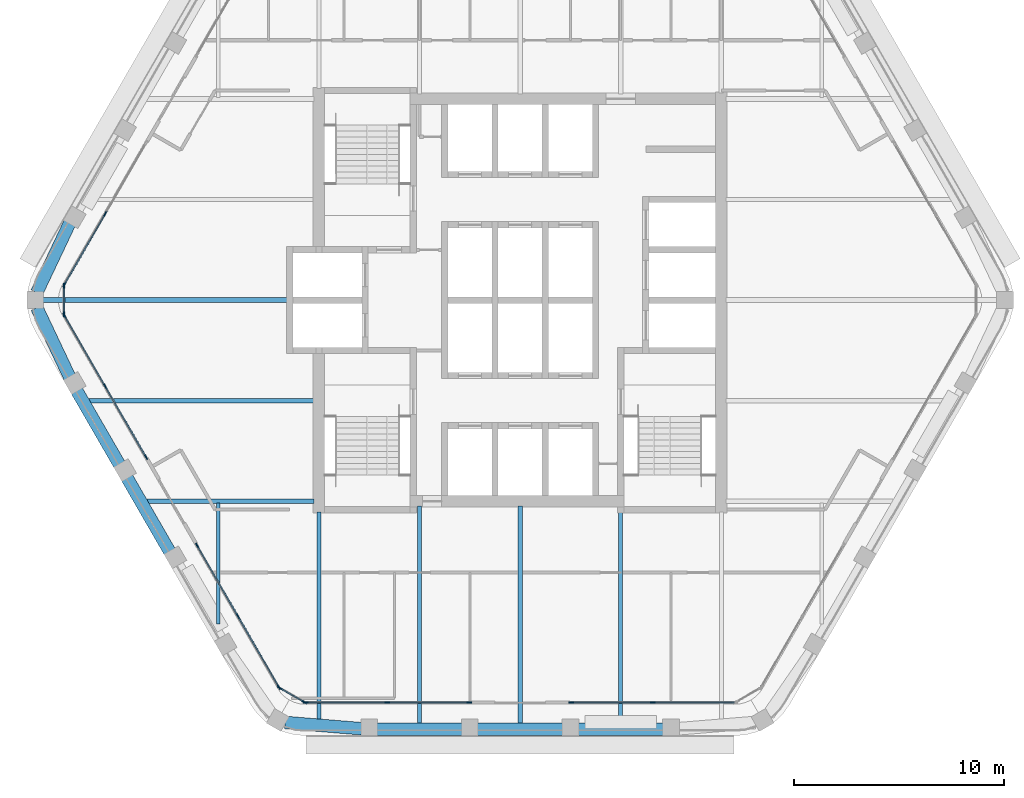
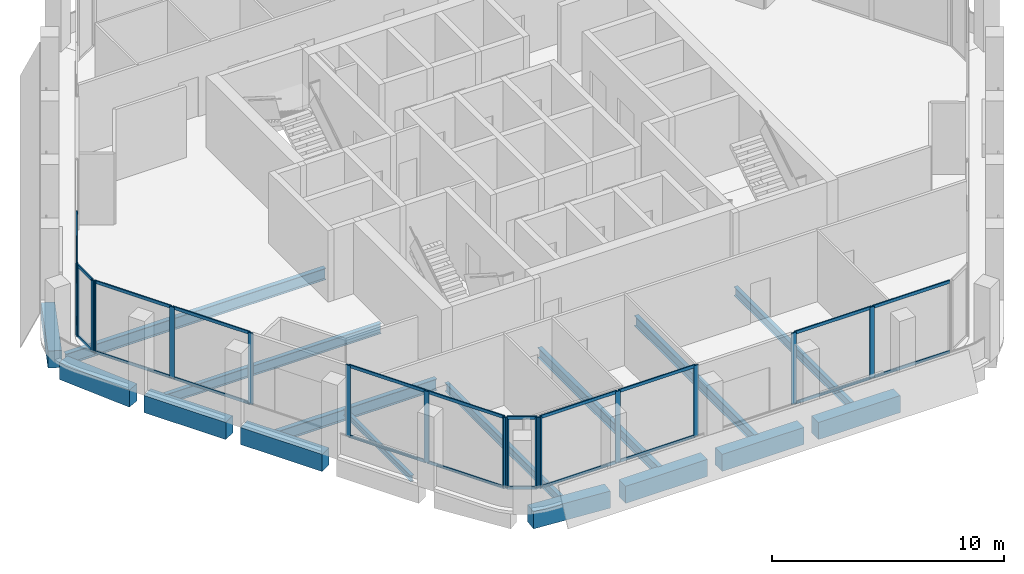
# One storey, part 2 of 13: 39 members, 16 beams, 7 elements without a shape of their own.
"""IFC4 building model written with IfcOpenShell, lengths in metres."""

import ifcopenshell
import ifcopenshell.guid

model = None  # the IFC model being written
_history = None  # IfcOwnerHistory: only IFC2X3 demands one
_inside = {}  # id of a spatial element -> (the spatial element, [elements in it])
_under = {}  # id of a project, library or spatial element -> (it, [spatial elements below it])
_declared = {}  # id of a project -> (the project, [libraries it declares])
_typed = {}  # id of a type object -> (the type object, [elements of that type])
_made_of = {}  # id of a material, layer set ... -> (it, [elements and type objects made of it])


def new_model(schema):
    """Start an empty IFC model of exactly this schema.

    Asked for "IFC4X3", IfcOpenShell would pick the latest addendum, in which some entities
    have other attributes; the version numbers below select the first issue.
    IFC2X3 requires an IfcOwnerHistory on every rooted entity: one is made here for all.
    """
    global model, _history
    if schema == "IFC4X3":
        model = ifcopenshell.file(schema_version=(4, 3, 0, 0))
    else:
        model = ifcopenshell.file(schema=schema)
    _inside.clear()
    _under.clear()
    _declared.clear()
    _typed.clear()
    _made_of.clear()
    _history = None
    if model.schema == "IFC2X3":
        org = make("IfcOrganization", Name="unknown")
        user = make(
            "IfcPersonAndOrganization",
            ThePerson=make("IfcPerson", FamilyName="unknown"),
            TheOrganization=org,
        )
        app = make(
            "IfcApplication",
            ApplicationDeveloper=org,
            Version="unknown",
            ApplicationFullName="unknown",
            ApplicationIdentifier="unknown",
        )
        _history = make(
            "IfcOwnerHistory",
            OwningUser=user,
            OwningApplication=app,
            ChangeAction="ADDED",
            CreationDate=0,
        )
    return model


def make(cls, **values):
    """One entity of the class cls with the attributes given. An attribute that is None is left unset."""
    return model.create_entity(
        cls, **{name: value for name, value in values.items() if value is not None}
    )


def rooted(cls, **values):
    """An entity with a GlobalId (a new one), such as an element, a storey or a relation."""
    return make(cls, GlobalId=ifcopenshell.guid.new(), OwnerHistory=_history, **values)


def si_unit(unit_type, name, prefix=None):
    """IfcSIUnit, for example si_unit("LENGTHUNIT", "METRE", prefix="MILLI")."""
    return make("IfcSIUnit", UnitType=unit_type, Prefix=prefix, Name=name)


def assignment(units):
    """IfcUnitAssignment: the units of a project."""
    return None if units is None else make("IfcUnitAssignment", Units=units)


def point(xyz):
    """IfcCartesianPoint."""
    return None if xyz is None else make("IfcCartesianPoint", Coordinates=xyz)


def direction(xyz):
    """IfcDirection."""
    return None if xyz is None else make("IfcDirection", DirectionRatios=xyz)


def frame(location, z_axis=None, x_axis=None):
    """IfcAxis2Placement3D, a coordinate frame: its origin and axes. An axis left out is left unset."""
    return make(
        "IfcAxis2Placement3D",
        Location=point(location),
        Axis=direction(z_axis),
        RefDirection=direction(x_axis),
    )


def frame_2d(location, x_axis=None):
    """IfcAxis2Placement2D, a coordinate frame in the plane: its origin and x axis."""
    return make(
        "IfcAxis2Placement2D", Location=point(location), RefDirection=direction(x_axis)
    )


def origin():
    """The frame at (0, 0, 0) with its axes left unset."""
    return frame((0.0, 0.0, 0.0))


def origin_2d():
    """The frame at (0, 0) in the plane with its x axis left unset."""
    return frame_2d((0.0, 0.0))


def place(relative_to, where):
    """IfcLocalPlacement: puts the frame where relative to a parent placement (None: the world)."""
    return make(
        "IfcLocalPlacement", PlacementRelTo=relative_to, RelativePlacement=where
    )


def context(
    kind, dimensions, precision=None, world=None, true_north=None, identifier=None
):
    """IfcGeometricRepresentationContext, for example the 3D "Model" context."""
    return make(
        "IfcGeometricRepresentationContext",
        ContextIdentifier=identifier,
        ContextType=kind,
        CoordinateSpaceDimension=dimensions,
        Precision=precision,
        WorldCoordinateSystem=world,
        TrueNorth=true_north,
    )


def subcontext(parent, identifier, kind, view, scale=None):
    """IfcGeometricRepresentationSubContext, for example "Body" below "Model"."""
    return make(
        "IfcGeometricRepresentationSubContext",
        ContextIdentifier=identifier,
        ContextType=kind,
        ParentContext=parent,
        TargetScale=scale,
        TargetView=view,
    )


def project(units=None, contexts=None):
    """IfcProject with its units and contexts."""
    return rooted(
        "IfcProject",
        Name="project",
        RepresentationContexts=contexts,
        UnitsInContext=assignment(units),
    )


def spatial(cls, under=None, at=None, **own):
    """A site, building, storey or space (cls), placed at a placement, below another one or the project."""
    s = rooted(cls, ObjectPlacement=at, **own)
    if under is not None:
        _under.setdefault(under.id(), (under, []))[1].append(s)
    return s


def profile(cls, at=None, kind="AREA", **sizes):
    """A parametric profile (cls). Its sizes go by their IFC names, for example OverallWidth=200.0."""
    return make(cls, ProfileType=kind, Position=at, **sizes)


def rectangle(**sizes):
    """IfcRectangleProfileDef."""
    return profile("IfcRectangleProfileDef", **sizes)


def i_section(**sizes):
    """IfcIShapeProfileDef."""
    return profile("IfcIShapeProfileDef", **sizes)


def extrude(swept, where, along, depth):
    """IfcExtrudedAreaSolid: the profile swept, set in the frame where, extruded along a direction by depth."""
    return make(
        "IfcExtrudedAreaSolid",
        SweptArea=swept,
        Position=where,
        ExtrudedDirection=direction(along),
        Depth=depth,
    )


def shape(context_of_items, identifier, shape_type, items):
    """IfcShapeRepresentation: the items that make up one representation, for example the "Body"."""
    return make(
        "IfcShapeRepresentation",
        ContextOfItems=context_of_items,
        RepresentationIdentifier=identifier,
        RepresentationType=shape_type,
        Items=items,
    )


def material(Name=None, Category=None):
    """IfcMaterial."""
    return make("IfcMaterial", Name=Name, Category=Category)


def material_profile(
    of_material, cross_section, Name=None, Category=None, Priority=None
):
    """IfcMaterialProfile: a cross section and its material."""
    return make(
        "IfcMaterialProfile",
        Name=Name,
        Material=of_material,
        Profile=cross_section,
        Priority=Priority,
        Category=Category,
    )


def profile_set(profiles, Name=None, composite=None):
    """IfcMaterialProfileSet."""
    return make(
        "IfcMaterialProfileSet",
        Name=Name,
        MaterialProfiles=profiles,
        CompositeProfile=composite,
    )


def made_of(thing, what):
    """Note that an element or type object is made of a material, layer set ...; save() writes the relation."""
    if what is not None:
        _made_of.setdefault(what.id(), (what, []))[1].append(thing)
    return thing


def type_object(cls, material=None, **own):
    """A type object (cls), such as IfcWallType, which elements share."""
    return made_of(rooted(cls, **own), material)


def element(
    cls,
    number,
    at=None,
    inside=None,
    cuts=None,
    type_object=None,
    material=None,
    context=None,
    identifier="Body",
    shape_type=None,
    held_by="IfcProductDefinitionShape",
    body=None,
    shapes=None,
    **own,
):
    """One element of the class cls, such as IfcWall. Its Tag is "e" and its number.

    at: its placement. inside: the storey or other place that contains it. cuts: it is an
    opening in that element (IfcRelVoidsElement). A single representation is given by context,
    identifier, shape_type and body (its items); several are given by shapes. held_by: the class
    of the entity that holds the representations. save() writes the other relations.
    """
    e = rooted(cls, Tag="e%d" % number, ObjectPlacement=at, **own)
    if body is not None:
        shapes = [shape(context, identifier, shape_type, body)]
    if shapes is not None:
        e.Representation = make(held_by, Representations=shapes)
    if inside is not None:
        _inside.setdefault(inside.id(), (inside, []))[1].append(e)
    if cuts is not None:
        rooted(
            "IfcRelVoidsElement", RelatingBuildingElement=cuts, RelatedOpeningElement=e
        )
    if type_object is not None:
        _typed.setdefault(type_object.id(), (type_object, []))[1].append(e)
    return made_of(e, material)


def aggregate(whole, parts):
    """IfcRelAggregates: a whole, such as a stair, and the parts it consists of."""
    return rooted("IfcRelAggregates", RelatingObject=whole, RelatedObjects=parts)


def save(model, path):
    """Write the relations noted so far, then the file.

    IfcRelAggregates (storeys below a building ...), IfcRelContainedInSpatialStructure (elements
    in a storey), IfcRelDefinesByType, IfcRelAssociatesMaterial and IfcRelDeclares: one each for
    every whole, place, type object, material and project.
    """
    for whole, parts in _under.values():
        aggregate(whole, parts)
    for where, things in _inside.values():
        rooted(
            "IfcRelContainedInSpatialStructure",
            RelatedElements=things,
            RelatingStructure=where,
        )
    for kind, things in _typed.values():
        rooted("IfcRelDefinesByType", RelatedObjects=things, RelatingType=kind)
    for what, things in _made_of.values():
        rooted("IfcRelAssociatesMaterial", RelatedObjects=things, RelatingMaterial=what)
    for by, libraries in _declared.values():
        rooted("IfcRelDeclares", RelatingContext=by, RelatedDefinitions=libraries)
    model.write(path)


model = new_model("IFC4")

# Units and contexts
model_context = context("Model", 3, precision=1e-05, world=origin(), true_north=direction((0.0, 1.0)))
body_context = subcontext(model_context, "Body", "Model", "MODEL_VIEW")
ifc_project = project(units=[si_unit("LENGTHUNIT", "METRE"), si_unit("AREAUNIT", "SQUARE_METRE"), si_unit("VOLUMEUNIT", "CUBIC_METRE"), si_unit("PLANEANGLEUNIT", "RADIAN"), si_unit("MASSUNIT", "GRAM", prefix="KILO")], contexts=[model_context])

# Site, building, storey
site_placement = place(None, origin())
site = spatial("IfcSite", under=ifc_project, at=site_placement, CompositionType="ELEMENT")
building_placement = place(site_placement, origin())
building = spatial("IfcBuilding", under=site, at=building_placement, Name="Kolab Exchange Tower", CompositionType="ELEMENT")
storey_placement = place(building_placement, frame((0.0, 0.0, 230.60009765625)))
storey = spatial("IfcBuildingStorey", under=building, at=storey_placement, Name="L50", CompositionType="ELEMENT", Elevation=230.60009765625)

# Beams
ifc_material_1 = material(Name="Steel S355", Category="steel")
ifc_material_profile_1 = material_profile(ifc_material_1, i_section(OverallWidth=0.1650390625, OverallDepth=0.31005859375, WebThickness=0.005859375, FlangeThickness=0.009765625, at=origin_2d()), Name="W310X39")
ifc_profile_set_1 = profile_set([ifc_material_profile_1], Name="Steel S355")
beam_type_1 = type_object("IfcBeamType", Name="FLOOR BEAM W310X39", PredefinedType="BEAM", material=ifc_profile_set_1)
beam_1_placement = place(storey_placement, frame((-14.39990234375, -15.4677734375, -0.30517578125), z_axis=(0.0, 1.0, 0.0), x_axis=(-1.0, 0.0, 0.0)))
element("IfcBeam", 1, at=beam_1_placement, inside=storey, type_object=beam_type_1, Name="beam/L50/fr/003", PredefinedType="BEAM", context=body_context, shape_type="SweptSolid", body=[
    extrude(i_section(OverallWidth=0.1650390625, OverallDepth=0.31005859375, WebThickness=0.005859375, FlangeThickness=0.009765625, at=origin_2d()), origin(), (0.0, 0.0, 1.0), 5.793701171875),
])
ifc_material_profile_2 = material_profile(ifc_material_1, i_section(OverallWidth=0.18994140625, OverallDepth=0.45703125, WebThickness=0.009033203125, FlangeThickness=0.014404296875, at=origin_2d()), Name="W460X74")
ifc_profile_set_2 = profile_set([ifc_material_profile_2], Name="Steel S355")
beam_type_2 = type_object("IfcBeamType", Name="FLOOR BEAM W460X74", PredefinedType="BEAM", material=ifc_profile_set_2)
beam_2_placement = place(storey_placement, frame((-9.60009765625, -20.027099609375, -0.378662109375), z_axis=(0.0, 1.0, 0.0), x_axis=(-1.0, 0.0, 0.0)))
element("IfcBeam", 2, at=beam_2_placement, inside=storey, type_object=beam_type_2, Name="beam/L50/fr/005", PredefinedType="BEAM", context=body_context, shape_type="SweptSolid", body=[
    extrude(i_section(OverallWidth=0.18994140625, OverallDepth=0.45703125, WebThickness=0.009033203125, FlangeThickness=0.014404296875, at=origin_2d()), origin(), (0.0, 0.0, 1.0), 9.9169921875),
])
beam_3_placement = place(storey_placement, frame((4.800048828125, -20.224609375, -0.378662109375), z_axis=(0.0, 1.0, 0.0), x_axis=(-1.0, 0.0, 0.0)))
element("IfcBeam", 3, at=beam_3_placement, inside=storey, type_object=beam_type_2, Name="beam/L50/fr/011", PredefinedType="BEAM", context=body_context, shape_type="SweptSolid", body=[
    extrude(i_section(OverallWidth=0.18994140625, OverallDepth=0.45703125, WebThickness=0.009033203125, FlangeThickness=0.014404296875, at=origin_2d()), origin(), (0.0, 0.0, 1.0), 10.114501953125),
])
ifc_material_profile_3 = material_profile(ifc_material_1, i_section(OverallWidth=0.208984375, OverallDepth=0.532958984375, WebThickness=0.01025390625, FlangeThickness=0.015625, at=origin_2d()), Name="W530X92")
ifc_profile_set_3 = profile_set([ifc_material_profile_3], Name="Steel S355")
beam_type_3 = type_object("IfcBeamType", Name="FLOOR BEAM W530X92", PredefinedType="BEAM", material=ifc_profile_set_3)
beam_4_placement = place(storey_placement, frame((-20.575927734375, -4.800048828125, -0.41650390625), z_axis=(1.0, 0.0, 0.0), x_axis=(0.0, 1.0, 0.0)))
element("IfcBeam", 4, at=beam_4_placement, inside=storey, type_object=beam_type_3, Name="beam/L50/fr/001", PredefinedType="BEAM", context=body_context, shape_type="SweptSolid", body=[
    extrude(i_section(OverallWidth=0.208984375, OverallDepth=0.532958984375, WebThickness=0.01025390625, FlangeThickness=0.015625, at=origin_2d()), origin(), (0.0, 0.0, 1.0), 10.740966796875),
])
for number, where, z_axis, x_axis, name in (
    (5, (-4.800048828125, -20.224609375, -0.41650390625), (0.0, 1.0, 0.0), (-1.0, 0.0, 0.0), "beam/L50/fr/007"),
    (6, (0.0, -20.224609375, -0.41650390625), (0.0, 1.0, 0.0), (-1.0, 0.0, 0.0), "beam/L50/fr/009"),
):
    element("IfcBeam", number, at=place(storey_placement, frame(where, z_axis=z_axis, x_axis=x_axis)), inside=storey, type_object=beam_type_3, Name=name, PredefinedType="BEAM", context=body_context, shape_type="SweptSolid", body=[
        extrude(i_section(OverallWidth=0.208984375, OverallDepth=0.532958984375, WebThickness=0.01025390625, FlangeThickness=0.015625, at=origin_2d()), origin(), (0.0, 0.0, 1.0), 10.3896484375),
    ])
ifc_material_profile_4 = material_profile(ifc_material_1, i_section(OverallWidth=0.22802734375, OverallDepth=0.60791015625, WebThickness=0.01123046875, FlangeThickness=0.017333984375, at=origin_2d()), Name="W610X113")
ifc_profile_set_4 = profile_set([ifc_material_profile_4], Name="Steel S355")
beam_type_4 = type_object("IfcBeamType", Name="FLOOR BEAM W610X113", PredefinedType="BEAM", material=ifc_profile_set_4)
beam_5_placement = place(storey_placement, frame((-22.77587890625, 0.0, -0.4541015625), z_axis=(1.0, 0.0, 0.0), x_axis=(0.0, 1.0, 0.0)))
element("IfcBeam", 7, at=beam_5_placement, inside=storey, type_object=beam_type_4, Name="beam/L50/fr/000", PredefinedType="BEAM", context=body_context, shape_type="SweptSolid", body=[
    extrude(i_section(OverallWidth=0.22802734375, OverallDepth=0.60791015625, WebThickness=0.01123046875, FlangeThickness=0.017333984375, at=origin_2d()), origin(), (0.0, 0.0, 1.0), 12.94091796875),
])
ifc_material_profile_5 = material_profile(ifc_material_1, i_section(OverallWidth=0.22802734375, OverallDepth=0.60791015625, WebThickness=0.01123046875, FlangeThickness=0.017333984375, at=origin_2d()), Name="W610X113")
ifc_profile_set_5 = profile_set([ifc_material_profile_5], Name="Steel S355")
beam_type_5 = type_object("IfcBeamType", Name="FLOOR GIRDER W610X113", PredefinedType="BEAM", material=ifc_profile_set_5)
beam_6_placement = place(storey_placement, frame((-17.8046875, -9.60009765625, -0.4541015625), z_axis=(1.0, 0.0, 0.0), x_axis=(0.0, 1.0, 0.0)))
element("IfcBeam", 8, at=beam_6_placement, inside=storey, type_object=beam_type_5, Name="beam/L50/gd/000", PredefinedType="BEAM", context=body_context, shape_type="SweptSolid", body=[
    extrude(i_section(OverallWidth=0.22802734375, OverallDepth=0.60791015625, WebThickness=0.01123046875, FlangeThickness=0.017333984375, at=origin_2d()), origin(), (0.0, 0.0, 1.0), 7.9697265625),
])
ifc_material_2 = material(Name="Concrete C50/60", Category="concrete")
ifc_material_profile_6 = material_profile(ifc_material_2, rectangle(XDim=0.60009765625, YDim=0.89990234375, at=origin_2d()), Name="RC600X900")
ifc_profile_set_6 = profile_set([ifc_material_profile_6], Name="Concrete C50/60")
beam_type_6 = type_object("IfcBeamType", Name="SPANDREL BEAM 600X900 C50/60", PredefinedType="BEAM", material=ifc_profile_set_6)
for number, where, z_axis, x_axis, name in (
    (9, (6.840087890625, -20.484619140625, -0.60009765625), (-1.0, 0.0, 0.0), (0.0, -1.0, 0.0), "beam/L50/sp/F4-02"),
    (10, (2.0400390625, -20.484619140625, -0.60009765625), (-1.0, 0.0, 0.0), (0.0, -1.0, 0.0), "beam/L50/sp/F4-03"),
    (11, (-2.760009765625, -20.484619140625, -0.60009765625), (-1.0, 0.0, 0.0), (0.0, -1.0, 0.0), "beam/L50/sp/F4-04"),
):
    element("IfcBeam", number, at=place(storey_placement, frame(where, z_axis=z_axis, x_axis=x_axis)), inside=storey, type_object=beam_type_6, Name=name, PredefinedType="BEAM", context=body_context, shape_type="SweptSolid", body=[
        extrude(rectangle(XDim=0.60009765625, YDim=0.89990234375, at=origin_2d()), origin(), (0.0, 0.0, 1.0), 4.080078125),
    ])
beam_7_placement = place(storey_placement, frame((-7.56005859375, -20.455078125, -0.60009765625), z_axis=(-0.996666751878, 0.081580547323, 0.0), x_axis=(-0.081580547323, -0.996666751878, 0.0)))
element("IfcBeam", 12, at=beam_7_placement, inside=storey, type_object=beam_type_6, Name="beam/L50/sp/F4-05", PredefinedType="BEAM", context=body_context, shape_type="SweptSolid", body=[
    extrude(rectangle(XDim=0.60009765625, YDim=0.89990234375, at=origin_2d()), origin(), (0.0, 0.0, 1.0), 3.6689453125),
])
for number, where, z_axis, x_axis, name in (
    (13, (-16.72021484375, -12.009033203125, -0.60009765625), (-0.500000428765, 0.866025156237, 0.0), (-0.866025156237, -0.500000428765, 0.0), "beam/L50/sp/F5-03"),
    (14, (-19.1201171875, -7.85205078125, -0.60009765625), (-0.500000428765, 0.866025156237, 0.0), (-0.866025156237, -0.500000428765, 0.0), "beam/L50/sp/F5-04"),
):
    element("IfcBeam", number, at=place(storey_placement, frame(where, z_axis=z_axis, x_axis=x_axis)), inside=storey, type_object=beam_type_6, Name=name, PredefinedType="BEAM", context=body_context, shape_type="SweptSolid", body=[
        extrude(rectangle(XDim=0.60009765625, YDim=0.89990234375, at=origin_2d()), origin(), (0.0, 0.0, 1.0), 4.080078125),
    ])
for number, where, z_axis, x_axis, name in (
    (15, (-21.49462890625, -3.68017578125, -0.60009765625), (-0.427677251998, 0.903931506323, 0.0), (-0.903931506323, -0.427677251998, 0.0), "beam/L50/sp/F5-05"),
    (16, (-23.063720703125, 0.36376953125, -0.60009765625), (0.427677251998, 0.903931506323, 0.0), (-0.903931506323, 0.427677251998, 0.0), "beam/L50/sp/F6-01"),
):
    element("IfcBeam", number, at=place(storey_placement, frame(where, z_axis=z_axis, x_axis=x_axis)), inside=storey, type_object=beam_type_6, Name=name, PredefinedType="BEAM", context=body_context, shape_type="SweptSolid", body=[
        extrude(rectangle(XDim=0.60009765625, YDim=0.89990234375, at=origin_2d()), origin(), (0.0, 0.0, 1.0), 3.6689453125),
    ])

# Curtain wall, members
ifc_material_3 = material(Name="Aluminium EN AW-6063 T6", Category="aluminium")
curtain_wall_type = type_object("IfcCurtainWallType", Name="UNITISED HIGH ZONE CURTAIN WALL", PredefinedType="NOTDEFINED", material=ifc_material_3)
curtain_wall_1_placement = place(storey_placement, origin())
curtain_wall_1 = element("IfcCurtainWall", 17, at=curtain_wall_1_placement, inside=storey, type_object=curtain_wall_type, Name="cw/L50/F4-1", PredefinedType="NOTDEFINED")
ifc_material_profile_7 = material_profile(ifc_material_3, rectangle(XDim=0.06005859375, YDim=0.239990234375, at=origin_2d()), Name="RECT 60X240")
ifc_profile_set_7 = profile_set([ifc_material_profile_7], Name="Aluminium EN AW-6063 T6")
member_type_1 = type_object("IfcMemberType", Name="UNITISED HIGH ZONE MULLION 60 X 240", PredefinedType="MULLION", material=ifc_profile_set_7)
member_1_placement = place(storey_placement, frame((6.333984375, -19.20458984375, 0.0), z_axis=(0.0, 0.0, 1.0), x_axis=(0.0, -1.0, 0.0)))
member_1 = element("IfcMember", 18, at=member_1_placement, type_object=member_type_1, Name="CW4 mullion 2", PredefinedType="MULLION", context=body_context, shape_type="SweptSolid", body=[
    extrude(rectangle(XDim=0.06005859375, YDim=0.239990234375, at=origin_2d()), origin(), (0.0, 0.0, 1.0), 3.75),
])
member_2_placement = place(storey_placement, frame((2.429931640625, -19.20458984375, 0.0), z_axis=(0.0, 0.0, 1.0), x_axis=(0.0, -1.0, 0.0)))
member_2 = element("IfcMember", 19, at=member_2_placement, type_object=member_type_1, Name="CW4 mullion 3", PredefinedType="MULLION", context=body_context, shape_type="SweptSolid", body=[
    extrude(rectangle(XDim=0.06005859375, YDim=0.239990234375, at=origin_2d()), origin(), (0.0, 0.0, 1.0), 3.75),
])

curtain_wall_2_placement = place(storey_placement, origin())
curtain_wall_2 = element("IfcCurtainWall", 20, at=curtain_wall_2_placement, inside=storey, type_object=curtain_wall_type, Name="cw/L50/F4-2", PredefinedType="NOTDEFINED")
member_3_placement = place(storey_placement, frame((-2.429931640625, -19.20458984375, 0.0), z_axis=(0.0, 0.0, 1.0), x_axis=(0.0, -1.0, 0.0)))
member_3 = element("IfcMember", 21, at=member_3_placement, type_object=member_type_1, Name="CW4 mullion 1", PredefinedType="MULLION", context=body_context, shape_type="SweptSolid", body=[
    extrude(rectangle(XDim=0.06005859375, YDim=0.239990234375, at=origin_2d()), origin(), (0.0, 0.0, 1.0), 3.75),
])
member_4_placement = place(storey_placement, frame((-6.333984375, -19.20458984375, 0.0), z_axis=(0.0, 0.0, 1.0), x_axis=(0.0, -1.0, 0.0)))
member_4 = element("IfcMember", 22, at=member_4_placement, type_object=member_type_1, Name="CW4 mullion 2", PredefinedType="MULLION", context=body_context, shape_type="SweptSolid", body=[
    extrude(rectangle(XDim=0.06005859375, YDim=0.239990234375, at=origin_2d()), origin(), (0.0, 0.0, 1.0), 3.75),
])
member_5_placement = place(storey_placement, frame((-10.238037109375, -19.20458984375, 0.0), z_axis=(0.0, 0.0, 1.0), x_axis=(0.0, -1.0, 0.0)))
member_5 = element("IfcMember", 23, at=member_5_placement, type_object=member_type_1, Name="CW4 mullion 3", PredefinedType="MULLION", context=body_context, shape_type="SweptSolid", body=[
    extrude(rectangle(XDim=0.06005859375, YDim=0.239990234375, at=origin_2d()), origin(), (0.0, 0.0, 1.0), 3.75),
])

curtain_wall_3_placement = place(storey_placement, origin())
curtain_wall_3 = element("IfcCurtainWall", 24, at=curtain_wall_3_placement, inside=storey, type_object=curtain_wall_type, Name="cw/L50/F5-1", PredefinedType="NOTDEFINED")
member_6_placement = place(storey_placement, frame((-11.5126953125, -18.46875, 0.0), z_axis=(0.0, 0.0, 1.0), x_axis=(-0.866025385493, -0.500000031681, 0.0)))
member_6 = element("IfcMember", 25, at=member_6_placement, type_object=member_type_1, Name="CW4 mullion 1", PredefinedType="MULLION", context=body_context, shape_type="SweptSolid", body=[
    extrude(rectangle(XDim=0.06005859375, YDim=0.239990234375, at=origin_2d()), origin(), (0.0, 0.0, 1.0), 3.75),
])
member_7_placement = place(storey_placement, frame((-13.464599609375, -15.087646484375, 0.0), z_axis=(0.0, 0.0, 1.0), x_axis=(-0.866025385493, -0.500000031681, 0.0)))
member_7 = element("IfcMember", 26, at=member_7_placement, type_object=member_type_1, Name="CW4 mullion 2", PredefinedType="MULLION", context=body_context, shape_type="SweptSolid", body=[
    extrude(rectangle(XDim=0.06005859375, YDim=0.239990234375, at=origin_2d()), origin(), (0.0, 0.0, 1.0), 3.75),
])
member_8_placement = place(storey_placement, frame((-15.416748046875, -11.706787109375, 0.0), z_axis=(0.0, 0.0, 1.0), x_axis=(-0.866025385493, -0.500000031681, 0.0)))
member_8 = element("IfcMember", 27, at=member_8_placement, type_object=member_type_1, Name="CW4 mullion 3", PredefinedType="MULLION", context=body_context, shape_type="SweptSolid", body=[
    extrude(rectangle(XDim=0.06005859375, YDim=0.239990234375, at=origin_2d()), origin(), (0.0, 0.0, 1.0), 3.75),
])

curtain_wall_4_placement = place(storey_placement, origin())
curtain_wall_4 = element("IfcCurtainWall", 28, at=curtain_wall_4_placement, inside=storey, type_object=curtain_wall_type, Name="cw/L50/F5-2", PredefinedType="NOTDEFINED")
member_9_placement = place(storey_placement, frame((-17.8466796875, -7.497802734375, 0.0), z_axis=(0.0, 0.0, 1.0), x_axis=(-0.866025440524, -0.499999936366, 0.0)))
member_9 = element("IfcMember", 29, at=member_9_placement, type_object=member_type_1, Name="CW4 mullion 1", PredefinedType="MULLION", context=body_context, shape_type="SweptSolid", body=[
    extrude(rectangle(XDim=0.06005859375, YDim=0.239990234375, at=origin_2d()), origin(), (0.0, 0.0, 1.0), 3.75),
])
member_10_placement = place(storey_placement, frame((-19.798583984375, -4.116943359375, 0.0), z_axis=(0.0, 0.0, 1.0), x_axis=(-0.866025440524, -0.499999936366, 0.0)))
member_10 = element("IfcMember", 30, at=member_10_placement, type_object=member_type_1, Name="CW4 mullion 2", PredefinedType="MULLION", context=body_context, shape_type="SweptSolid", body=[
    extrude(rectangle(XDim=0.06005859375, YDim=0.239990234375, at=origin_2d()), origin(), (0.0, 0.0, 1.0), 3.75),
])
member_11_placement = place(storey_placement, frame((-21.750732421875, -0.736083984375, 0.0), z_axis=(0.0, 0.0, 1.0), x_axis=(-0.866025440524, -0.499999936366, 0.0)))
member_11 = element("IfcMember", 31, at=member_11_placement, type_object=member_type_1, Name="CW4 mullion 3", PredefinedType="MULLION", context=body_context, shape_type="SweptSolid", body=[
    extrude(rectangle(XDim=0.06005859375, YDim=0.239990234375, at=origin_2d()), origin(), (0.0, 0.0, 1.0), 3.75),
])

curtain_wall_5_placement = place(storey_placement, origin())
curtain_wall_5 = element("IfcCurtainWall", 32, at=curtain_wall_5_placement, inside=storey, type_object=curtain_wall_type, Name="cw/L50/F6-1", PredefinedType="NOTDEFINED")
member_12_placement = place(storey_placement, frame((-21.750732421875, 0.736083984375, 0.0), z_axis=(0.0, 0.0, 1.0), x_axis=(-0.866025440524, 0.499999936366, 0.0)))
member_12 = element("IfcMember", 33, at=member_12_placement, type_object=member_type_1, Name="CW4 mullion 1", PredefinedType="MULLION", context=body_context, shape_type="SweptSolid", body=[
    extrude(rectangle(XDim=0.06005859375, YDim=0.239990234375, at=origin_2d()), origin(), (0.0, 0.0, 1.0), 3.75),
])
member_13_placement = place(storey_placement, frame((-19.798583984375, 4.116943359375, 0.0), z_axis=(0.0, 0.0, 1.0), x_axis=(-0.866025440524, 0.499999936366, 0.0)))
member_13 = element("IfcMember", 34, at=member_13_placement, type_object=member_type_1, Name="CW4 mullion 2", PredefinedType="MULLION", context=body_context, shape_type="SweptSolid", body=[
    extrude(rectangle(XDim=0.06005859375, YDim=0.239990234375, at=origin_2d()), origin(), (0.0, 0.0, 1.0), 3.75),
])

curtain_wall_6_placement = place(storey_placement, origin())
curtain_wall_6 = element("IfcCurtainWall", 35, at=curtain_wall_6_placement, inside=storey, type_object=curtain_wall_type, Name="cw/L50/F4F5-corner", PredefinedType="NOTDEFINED")
member_14_placement = place(storey_placement, frame((-10.2939453125, -19.189697265625, 0.0), z_axis=(0.0, 0.0, 1.0), x_axis=(-0.50000002237, -0.866025390869, 0.0)))
member_14 = element("IfcMember", 36, at=member_14_placement, type_object=member_type_1, Name="CW4 mullion 1", PredefinedType="MULLION", context=body_context, shape_type="SweptSolid", body=[
    extrude(rectangle(XDim=0.06005859375, YDim=0.239990234375, at=origin_2d()), origin(), (0.0, 0.0, 1.0), 3.75),
])
member_15_placement = place(storey_placement, frame((-11.4716796875, -18.509521484375, 0.0), z_axis=(0.0, 0.0, 1.0), x_axis=(-0.50000002237, -0.866025390869, 0.0)))
member_15 = element("IfcMember", 37, at=member_15_placement, type_object=member_type_1, Name="CW4 mullion 2", PredefinedType="MULLION", context=body_context, shape_type="SweptSolid", body=[
    extrude(rectangle(XDim=0.06005859375, YDim=0.239990234375, at=origin_2d()), origin(), (0.0, 0.0, 1.0), 3.75),
])

curtain_wall_7_placement = place(storey_placement, origin())
curtain_wall_7 = element("IfcCurtainWall", 38, at=curtain_wall_7_placement, inside=storey, type_object=curtain_wall_type, Name="cw/L50/F5F6-corner", PredefinedType="NOTDEFINED")
member_16_placement = place(storey_placement, frame((-21.765625, -0.679931640625, 0.0), z_axis=(0.0, 0.0, 1.0), x_axis=(-1.0, 0.0, 0.0)))
member_16 = element("IfcMember", 39, at=member_16_placement, type_object=member_type_1, Name="CW4 mullion 1", PredefinedType="MULLION", context=body_context, shape_type="SweptSolid", body=[
    extrude(rectangle(XDim=0.06005859375, YDim=0.239990234375, at=origin_2d()), origin(), (0.0, 0.0, 1.0), 3.75),
])
member_17_placement = place(storey_placement, frame((-21.765625, 0.679931640625, 0.0), z_axis=(0.0, 0.0, 1.0), x_axis=(-1.0, 0.0, 0.0)))
member_17 = element("IfcMember", 40, at=member_17_placement, type_object=member_type_1, Name="CW4 mullion 2", PredefinedType="MULLION", context=body_context, shape_type="SweptSolid", body=[
    extrude(rectangle(XDim=0.06005859375, YDim=0.239990234375, at=origin_2d()), origin(), (0.0, 0.0, 1.0), 3.75),
])

# Member
ifc_material_profile_8 = material_profile(ifc_material_3, rectangle(XDim=0.06005859375, YDim=0.159912109375, at=origin_2d()), Name="RECT 60X160")
ifc_profile_set_8 = profile_set([ifc_material_profile_8], Name="Aluminium EN AW-6063 T6")
member_type_2 = type_object("IfcMemberType", Name="UNITISED HIGH ZONE TRANSOM 60 X 160", PredefinedType="USERDEFINED", material=ifc_profile_set_8)
member_18_placement = place(storey_placement, frame((10.2080078125, -19.20458984375, 0.02978515625), z_axis=(-1.0, 0.0, 0.0), x_axis=(0.0, -1.0, 0.0)))
member_18 = element("IfcMember", 41, at=member_18_placement, type_object=member_type_2, Name="CW4 transom 1.1", ObjectType="TRANSOM", PredefinedType="USERDEFINED", context=body_context, shape_type="SweptSolid", body=[
    extrude(rectangle(XDim=0.06005859375, YDim=0.159912109375, at=origin_2d()), origin(), (0.0, 0.0, 1.0), 3.843994140625),
])

member_19_placement = place(storey_placement, frame((10.2080078125, -19.20458984375, 3.719970703125), z_axis=(-1.0, 0.0, 0.0), x_axis=(0.0, -1.0, 0.0)))
member_19 = element("IfcMember", 42, at=member_19_placement, type_object=member_type_2, Name="CW4 transom 1.2", ObjectType="TRANSOM", PredefinedType="USERDEFINED", context=body_context, shape_type="SweptSolid", body=[
    extrude(rectangle(XDim=0.06005859375, YDim=0.159912109375, at=origin_2d()), origin(), (0.0, 0.0, 1.0), 3.843994140625),
])

member_20_placement = place(storey_placement, frame((6.303955078125, -19.20458984375, 0.02978515625), z_axis=(-1.0, 0.0, 0.0), x_axis=(0.0, -1.0, 0.0)))
member_20 = element("IfcMember", 43, at=member_20_placement, type_object=member_type_2, Name="CW4 transom 2.1", ObjectType="TRANSOM", PredefinedType="USERDEFINED", context=body_context, shape_type="SweptSolid", body=[
    extrude(rectangle(XDim=0.06005859375, YDim=0.159912109375, at=origin_2d()), origin(), (0.0, 0.0, 1.0), 3.843994140625),
])

member_21_placement = place(storey_placement, frame((6.303955078125, -19.20458984375, 3.719970703125), z_axis=(-1.0, 0.0, 0.0), x_axis=(0.0, -1.0, 0.0)))
member_21 = element("IfcMember", 44, at=member_21_placement, type_object=member_type_2, Name="CW4 transom 2.2", ObjectType="TRANSOM", PredefinedType="USERDEFINED", context=body_context, shape_type="SweptSolid", body=[
    extrude(rectangle(XDim=0.06005859375, YDim=0.159912109375, at=origin_2d()), origin(), (0.0, 0.0, 1.0), 3.843994140625),
])

aggregate(curtain_wall_1, [member_1, member_2, member_18, member_19, member_20, member_21])

member_22_placement = place(storey_placement, frame((-2.4599609375, -19.20458984375, 0.02978515625), z_axis=(-1.0, 0.0, 0.0), x_axis=(0.0, -1.0, 0.0)))
member_22 = element("IfcMember", 45, at=member_22_placement, type_object=member_type_2, Name="CW4 transom 1.1", ObjectType="TRANSOM", PredefinedType="USERDEFINED", context=body_context, shape_type="SweptSolid", body=[
    extrude(rectangle(XDim=0.06005859375, YDim=0.159912109375, at=origin_2d()), origin(), (0.0, 0.0, 1.0), 3.843994140625),
])

member_23_placement = place(storey_placement, frame((-2.4599609375, -19.20458984375, 3.719970703125), z_axis=(-1.0, 0.0, 0.0), x_axis=(0.0, -1.0, 0.0)))
member_23 = element("IfcMember", 46, at=member_23_placement, type_object=member_type_2, Name="CW4 transom 1.2", ObjectType="TRANSOM", PredefinedType="USERDEFINED", context=body_context, shape_type="SweptSolid", body=[
    extrude(rectangle(XDim=0.06005859375, YDim=0.159912109375, at=origin_2d()), origin(), (0.0, 0.0, 1.0), 3.843994140625),
])

member_24_placement = place(storey_placement, frame((-6.364013671875, -19.20458984375, 0.02978515625), z_axis=(-1.0, 0.0, 0.0), x_axis=(0.0, -1.0, 0.0)))
member_24 = element("IfcMember", 47, at=member_24_placement, type_object=member_type_2, Name="CW4 transom 2.1", ObjectType="TRANSOM", PredefinedType="USERDEFINED", context=body_context, shape_type="SweptSolid", body=[
    extrude(rectangle(XDim=0.06005859375, YDim=0.159912109375, at=origin_2d()), origin(), (0.0, 0.0, 1.0), 3.843994140625),
])

member_25_placement = place(storey_placement, frame((-6.364013671875, -19.20458984375, 3.719970703125), z_axis=(-1.0, 0.0, 0.0), x_axis=(0.0, -1.0, 0.0)))
member_25 = element("IfcMember", 48, at=member_25_placement, type_object=member_type_2, Name="CW4 transom 2.2", ObjectType="TRANSOM", PredefinedType="USERDEFINED", context=body_context, shape_type="SweptSolid", body=[
    extrude(rectangle(XDim=0.06005859375, YDim=0.159912109375, at=origin_2d()), origin(), (0.0, 0.0, 1.0), 3.843994140625),
])

aggregate(curtain_wall_2, [member_3, member_4, member_5, member_22, member_23, member_24, member_25])

member_26_placement = place(storey_placement, frame((-11.527587890625, -18.442626953125, 0.02978515625), z_axis=(-0.500039492609, 0.866002601515, 0.0), x_axis=(-0.866002601515, -0.500039492609, 0.0)))
member_26 = element("IfcMember", 49, at=member_26_placement, type_object=member_type_2, Name="CW4 transom 1.1", ObjectType="TRANSOM", PredefinedType="USERDEFINED", context=body_context, shape_type="SweptSolid", body=[
    extrude(rectangle(XDim=0.06005859375, YDim=0.159912109375, at=origin_2d()), origin(), (0.0, 0.0, 1.0), 3.843994140625),
])

member_27_placement = place(storey_placement, frame((-11.527587890625, -18.442626953125, 3.719970703125), z_axis=(-0.500039492609, 0.866002601515, 0.0), x_axis=(-0.866002601515, -0.500039492609, 0.0)))
member_27 = element("IfcMember", 50, at=member_27_placement, type_object=member_type_2, Name="CW4 transom 1.2", ObjectType="TRANSOM", PredefinedType="USERDEFINED", context=body_context, shape_type="SweptSolid", body=[
    extrude(rectangle(XDim=0.06005859375, YDim=0.159912109375, at=origin_2d()), origin(), (0.0, 0.0, 1.0), 3.843994140625),
])

member_28_placement = place(storey_placement, frame((-13.479736328125, -15.061767578125, 0.02978515625), z_axis=(-0.499964356602, 0.866045981532, 0.0), x_axis=(-0.866045981532, -0.499964356602, 0.0)))
member_28 = element("IfcMember", 51, at=member_28_placement, type_object=member_type_2, Name="CW4 transom 2.1", ObjectType="TRANSOM", PredefinedType="USERDEFINED", context=body_context, shape_type="SweptSolid", body=[
    extrude(rectangle(XDim=0.06005859375, YDim=0.159912109375, at=origin_2d()), origin(), (0.0, 0.0, 1.0), 3.843994140625),
])

member_29_placement = place(storey_placement, frame((-13.479736328125, -15.061767578125, 3.719970703125), z_axis=(-0.499964356602, 0.866045981532, 0.0), x_axis=(-0.866045981532, -0.499964356602, 0.0)))
member_29 = element("IfcMember", 52, at=member_29_placement, type_object=member_type_2, Name="CW4 transom 2.2", ObjectType="TRANSOM", PredefinedType="USERDEFINED", context=body_context, shape_type="SweptSolid", body=[
    extrude(rectangle(XDim=0.06005859375, YDim=0.159912109375, at=origin_2d()), origin(), (0.0, 0.0, 1.0), 3.843994140625),
])

aggregate(curtain_wall_3, [member_6, member_7, member_8, member_26, member_27, member_28, member_29])

member_30_placement = place(storey_placement, frame((-17.861572265625, -7.471923828125, 0.02978515625), z_axis=(-0.500011990396, 0.866018481016, 0.0), x_axis=(-0.866018481016, -0.500011990396, 0.0)))
member_30 = element("IfcMember", 53, at=member_30_placement, type_object=member_type_2, Name="CW4 transom 1.1", ObjectType="TRANSOM", PredefinedType="USERDEFINED", context=body_context, shape_type="SweptSolid", body=[
    extrude(rectangle(XDim=0.06005859375, YDim=0.159912109375, at=origin_2d()), origin(), (0.0, 0.0, 1.0), 3.84423828125),
])

member_31_placement = place(storey_placement, frame((-17.861572265625, -7.471923828125, 3.719970703125), z_axis=(-0.500011990396, 0.866018481016, 0.0), x_axis=(-0.866018481016, -0.500011990396, 0.0)))
member_31 = element("IfcMember", 54, at=member_31_placement, type_object=member_type_2, Name="CW4 transom 1.2", ObjectType="TRANSOM", PredefinedType="USERDEFINED", context=body_context, shape_type="SweptSolid", body=[
    extrude(rectangle(XDim=0.06005859375, YDim=0.159912109375, at=origin_2d()), origin(), (0.0, 0.0, 1.0), 3.84423828125),
])

member_32_placement = place(storey_placement, frame((-19.813720703125, -4.0908203125, 0.02978515625), z_axis=(-0.499991857942, 0.866030104553, 0.0), x_axis=(-0.866030104553, -0.499991857942, 0.0)))
member_32 = element("IfcMember", 55, at=member_32_placement, type_object=member_type_2, Name="CW4 transom 2.1", ObjectType="TRANSOM", PredefinedType="USERDEFINED", context=body_context, shape_type="SweptSolid", body=[
    extrude(rectangle(XDim=0.06005859375, YDim=0.159912109375, at=origin_2d()), origin(), (0.0, 0.0, 1.0), 3.84375),
])

member_33_placement = place(storey_placement, frame((-19.813720703125, -4.0908203125, 3.719970703125), z_axis=(-0.499991857942, 0.866030104553, 0.0), x_axis=(-0.866030104553, -0.499991857942, 0.0)))
member_33 = element("IfcMember", 56, at=member_33_placement, type_object=member_type_2, Name="CW4 transom 2.2", ObjectType="TRANSOM", PredefinedType="USERDEFINED", context=body_context, shape_type="SweptSolid", body=[
    extrude(rectangle(XDim=0.06005859375, YDim=0.159912109375, at=origin_2d()), origin(), (0.0, 0.0, 1.0), 3.84375),
])

aggregate(curtain_wall_4, [member_9, member_10, member_11, member_30, member_31, member_32, member_33])

member_34_placement = place(storey_placement, frame((-21.735595703125, 0.761962890625, 0.02978515625), z_axis=(0.499991857942, 0.866030104553, 0.0), x_axis=(-0.866030104553, 0.499991857942, 0.0)))
member_34 = element("IfcMember", 57, at=member_34_placement, type_object=member_type_2, Name="CW4 transom 1.1", ObjectType="TRANSOM", PredefinedType="USERDEFINED", context=body_context, shape_type="SweptSolid", body=[
    extrude(rectangle(XDim=0.06005859375, YDim=0.159912109375, at=origin_2d()), origin(), (0.0, 0.0, 1.0), 3.84375),
])

member_35_placement = place(storey_placement, frame((-21.735595703125, 0.761962890625, 3.719970703125), z_axis=(0.499991857942, 0.866030104553, 0.0), x_axis=(-0.866030104553, 0.499991857942, 0.0)))
member_35 = element("IfcMember", 58, at=member_35_placement, type_object=member_type_2, Name="CW4 transom 1.2", ObjectType="TRANSOM", PredefinedType="USERDEFINED", context=body_context, shape_type="SweptSolid", body=[
    extrude(rectangle(XDim=0.06005859375, YDim=0.159912109375, at=origin_2d()), origin(), (0.0, 0.0, 1.0), 3.84375),
])

aggregate(curtain_wall_5, [member_12, member_13, member_34, member_35])

member_36_placement = place(storey_placement, frame((-10.31982421875, -19.174560546875, 0.02978515625), z_axis=(-0.866085525409, 0.49989585183, 0.0), x_axis=(-0.49989585183, -0.866085525409, 0.0)))
member_36 = element("IfcMember", 59, at=member_36_placement, type_object=member_type_2, Name="CW4 transom 1.1", ObjectType="TRANSOM", PredefinedType="USERDEFINED", context=body_context, shape_type="SweptSolid", body=[
    extrude(rectangle(XDim=0.06005859375, YDim=0.159912109375, at=origin_2d()), origin(), (0.0, 0.0, 1.0), 1.300048828125),
])

member_37_placement = place(storey_placement, frame((-10.31982421875, -19.174560546875, 3.719970703125), z_axis=(-0.866085525409, 0.49989585183, 0.0), x_axis=(-0.49989585183, -0.866085525409, 0.0)))
member_37 = element("IfcMember", 60, at=member_37_placement, type_object=member_type_2, Name="CW4 transom 1.2", ObjectType="TRANSOM", PredefinedType="USERDEFINED", context=body_context, shape_type="SweptSolid", body=[
    extrude(rectangle(XDim=0.06005859375, YDim=0.159912109375, at=origin_2d()), origin(), (0.0, 0.0, 1.0), 1.300048828125),
])

aggregate(curtain_wall_6, [member_14, member_15, member_36, member_37])

member_38_placement = place(storey_placement, frame((-21.765625, -0.64990234375, 0.02978515625), z_axis=(0.0, 1.0, 0.0), x_axis=(-1.0, 0.0, 0.0)))
member_38 = element("IfcMember", 61, at=member_38_placement, type_object=member_type_2, Name="CW4 transom 1.1", ObjectType="TRANSOM", PredefinedType="USERDEFINED", context=body_context, shape_type="SweptSolid", body=[
    extrude(rectangle(XDim=0.06005859375, YDim=0.159912109375, at=origin_2d()), origin(), (0.0, 0.0, 1.0), 1.2998046875),
])

member_39_placement = place(storey_placement, frame((-21.765625, -0.64990234375, 3.719970703125), z_axis=(0.0, 1.0, 0.0), x_axis=(-1.0, 0.0, 0.0)))
member_39 = element("IfcMember", 62, at=member_39_placement, type_object=member_type_2, Name="CW4 transom 1.2", ObjectType="TRANSOM", PredefinedType="USERDEFINED", context=body_context, shape_type="SweptSolid", body=[
    extrude(rectangle(XDim=0.06005859375, YDim=0.159912109375, at=origin_2d()), origin(), (0.0, 0.0, 1.0), 1.2998046875),
])

aggregate(curtain_wall_7, [member_16, member_17, member_38, member_39])

save(model, "model.ifc")
